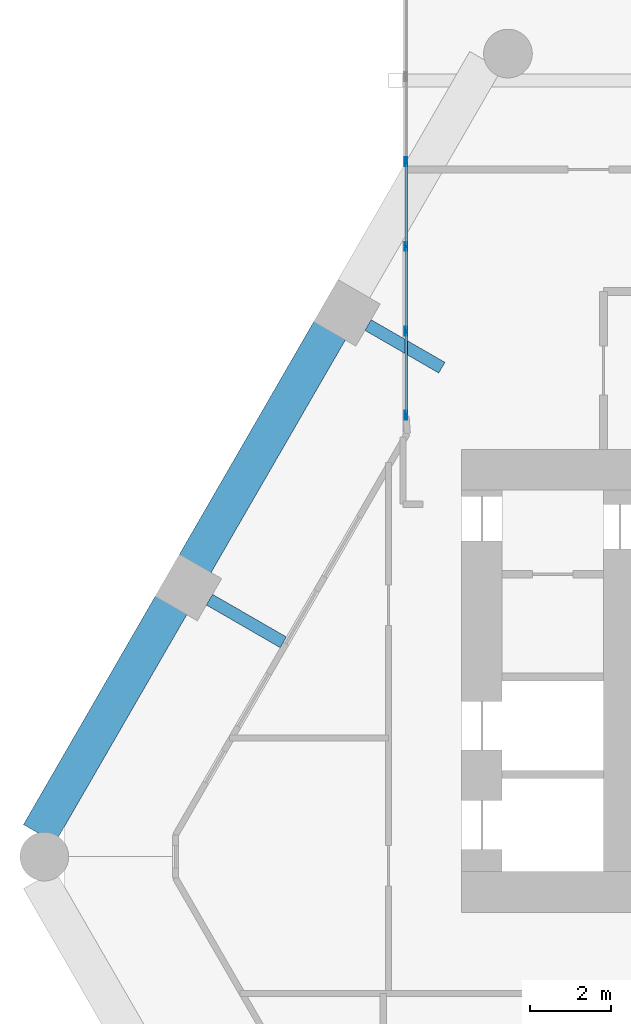
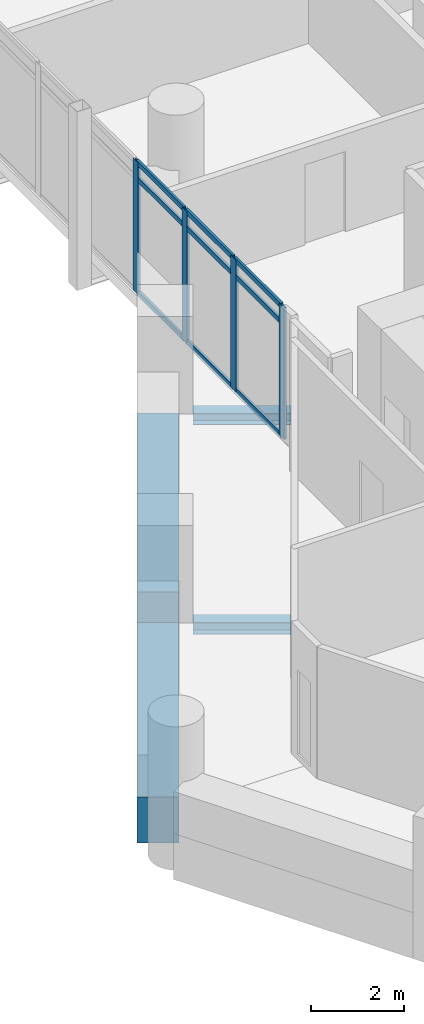
# One storey, part 12 of 28: 13 members, 4 beams, 1 element without a shape of its own.
"""IFC4 building model written with IfcOpenShell, lengths in metres."""

from ifc_helpers import new_model, si_unit, direction, frame, origin, origin_2d, place, context, subcontext, project, spatial, rectangle, hollow_rectangle, i_section, extrude, material, material_profile, profile_set, type_object, element, aggregate, save


model = new_model("IFC4")

# Units and contexts
model_context = context("Model", 3, precision=1e-05, world=origin(), true_north=direction((0.0, 1.0)))
body_context = subcontext(model_context, "Body", "Model", "MODEL_VIEW")
ifc_project = project(units=[si_unit("LENGTHUNIT", "METRE"), si_unit("AREAUNIT", "SQUARE_METRE"), si_unit("VOLUMEUNIT", "CUBIC_METRE"), si_unit("PLANEANGLEUNIT", "RADIAN"), si_unit("MASSUNIT", "GRAM", prefix="KILO")], contexts=[model_context])

# Site, building, storey
site_placement = place(None, origin())
site = spatial("IfcSite", under=ifc_project, at=site_placement, CompositionType="ELEMENT")
building_placement = place(site_placement, origin())
building = spatial("IfcBuilding", under=site, at=building_placement, Name="Ostrander Bayou Hotel Tower", CompositionType="ELEMENT")
storey_placement = place(building_placement, frame((0.0, 0.0, 104.25)))
storey = spatial("IfcBuildingStorey", under=building, at=storey_placement, Name="L26", CompositionType="ELEMENT", Elevation=104.25)

# Curtain wall, members
ifc_material_1 = material(Name="Aluminium and clear glass", Category="aluminium")
curtain_wall_type = type_object("IfcCurtainWallType", Name="CW-BAR glazed wall", PredefinedType="NOTDEFINED", material=ifc_material_1)
curtain_wall_placement = place(storey_placement, origin())
curtain_wall = element("IfcCurtainWall", 1, at=curtain_wall_placement, inside=storey, type_object=curtain_wall_type, Name="CW-BAR L26:SB2N:E", PredefinedType="NOTDEFINED")
ifc_material_2 = material(Name="Aluminium", Category="aluminium")
ifc_material_profile_1 = material_profile(ifc_material_2, hollow_rectangle(XDim=0.06005859375, YDim=0.219970703125, WallThickness=0.00390625, at=origin_2d()))
ifc_profile_set_1 = profile_set([ifc_material_profile_1], Name="Aluminium")
member_type_1 = type_object("IfcMemberType", Name="CW-BR mullion 60 x 220 mm", PredefinedType="MULLION", material=ifc_profile_set_1)
member_1_placement = place(storey_placement, frame((-13.3671875, 10.550048828125, 0.0), z_axis=(0.0, 0.0, 1.0), x_axis=(-1.0, 0.0, 0.0)))
member_1 = element("IfcMember", 2, at=member_1_placement, type_object=member_type_1, Name="CW-BAR mullion 1", PredefinedType="MULLION", context=body_context, shape_type="SweptSolid", body=[
    extrude(hollow_rectangle(XDim=0.06005859375, YDim=0.219970703125, WallThickness=0.00390625, at=origin_2d()), origin(), (0.0, 0.0, 1.0), 3.449951171875),
])
member_2_placement = place(storey_placement, frame((-13.3671875, 12.612548828125, 0.0), z_axis=(0.0, 0.0, 1.0), x_axis=(-1.0, 0.0, 0.0)))
member_2 = element("IfcMember", 3, at=member_2_placement, type_object=member_type_1, Name="CW-BAR mullion 2", PredefinedType="MULLION", context=body_context, shape_type="SweptSolid", body=[
    extrude(hollow_rectangle(XDim=0.06005859375, YDim=0.219970703125, WallThickness=0.00390625, at=origin_2d()), origin(), (0.0, 0.0, 1.0), 3.449951171875),
])
member_3_placement = place(storey_placement, frame((-13.3671875, 14.705078125, 0.0), z_axis=(0.0, 0.0, 1.0), x_axis=(-1.0, 0.0, 0.0)))
member_3 = element("IfcMember", 4, at=member_3_placement, type_object=member_type_1, Name="CW-BAR mullion 3", PredefinedType="MULLION", context=body_context, shape_type="SweptSolid", body=[
    extrude(hollow_rectangle(XDim=0.06005859375, YDim=0.219970703125, WallThickness=0.00390625, at=origin_2d()), origin(), (0.0, 0.0, 1.0), 3.449951171875),
])
member_4_placement = place(storey_placement, frame((-13.3671875, 16.797607421875, 0.0), z_axis=(0.0, 0.0, 1.0), x_axis=(-1.0, 0.0, 0.0)))
member_4 = element("IfcMember", 5, at=member_4_placement, type_object=member_type_1, Name="CW-BAR mullion 4", PredefinedType="MULLION", context=body_context, shape_type="SweptSolid", body=[
    extrude(hollow_rectangle(XDim=0.06005859375, YDim=0.219970703125, WallThickness=0.00390625, at=origin_2d()), origin(), (0.0, 0.0, 1.0), 3.449951171875),
])
ifc_material_3 = material(Name="Aluminium", Category="aluminium")
ifc_material_profile_2 = material_profile(ifc_material_3, hollow_rectangle(XDim=0.06005859375, YDim=0.1298828125, WallThickness=0.00390625, at=origin_2d()))
ifc_profile_set_2 = profile_set([ifc_material_profile_2], Name="Aluminium")
member_type_2 = type_object("IfcMemberType", Name="CW-BR transom 60 x 130 mm", PredefinedType="USERDEFINED", material=ifc_profile_set_2)
member_5_placement = place(storey_placement, frame((-13.3671875, 10.580078125, 0.030029296875), z_axis=(0.0, 1.0, 0.0), x_axis=(-1.0, 0.0, 0.0)))
member_5 = element("IfcMember", 6, at=member_5_placement, type_object=member_type_2, Name="CW-BAR transom 1.1", ObjectType="TRANSOM", PredefinedType="USERDEFINED", context=body_context, shape_type="SweptSolid", body=[
    extrude(hollow_rectangle(XDim=0.06005859375, YDim=0.1298828125, WallThickness=0.00390625, at=origin_2d()), origin(), (0.0, 0.0, 1.0), 2.00244140625),
])
member_6_placement = place(storey_placement, frame((-13.3671875, 10.580078125, 3.0), z_axis=(0.0, 1.0, 0.0), x_axis=(-1.0, 0.0, 0.0)))
member_6 = element("IfcMember", 7, at=member_6_placement, type_object=member_type_2, Name="CW-BAR transom 1.2", ObjectType="TRANSOM", PredefinedType="USERDEFINED", context=body_context, shape_type="SweptSolid", body=[
    extrude(hollow_rectangle(XDim=0.06005859375, YDim=0.1298828125, WallThickness=0.00390625, at=origin_2d()), origin(), (0.0, 0.0, 1.0), 2.00244140625),
])
member_7_placement = place(storey_placement, frame((-13.3671875, 10.580078125, 3.419921875), z_axis=(0.0, 1.0, 0.0), x_axis=(-1.0, 0.0, 0.0)))
member_7 = element("IfcMember", 8, at=member_7_placement, type_object=member_type_2, Name="CW-BAR transom 1.3", ObjectType="TRANSOM", PredefinedType="USERDEFINED", context=body_context, shape_type="SweptSolid", body=[
    extrude(hollow_rectangle(XDim=0.06005859375, YDim=0.1298828125, WallThickness=0.00390625, at=origin_2d()), origin(), (0.0, 0.0, 1.0), 2.00244140625),
])
member_8_placement = place(storey_placement, frame((-13.3671875, 12.642578125, 0.030029296875), z_axis=(0.0, 1.0, 0.0), x_axis=(-1.0, 0.0, 0.0)))
member_8 = element("IfcMember", 9, at=member_8_placement, type_object=member_type_2, Name="CW-BAR transom 2.1", ObjectType="TRANSOM", PredefinedType="USERDEFINED", context=body_context, shape_type="SweptSolid", body=[
    extrude(hollow_rectangle(XDim=0.06005859375, YDim=0.1298828125, WallThickness=0.00390625, at=origin_2d()), origin(), (0.0, 0.0, 1.0), 2.032470703125),
])
member_9_placement = place(storey_placement, frame((-13.3671875, 12.642578125, 3.0), z_axis=(0.0, 1.0, 0.0), x_axis=(-1.0, 0.0, 0.0)))
member_9 = element("IfcMember", 10, at=member_9_placement, type_object=member_type_2, Name="CW-BAR transom 2.2", ObjectType="TRANSOM", PredefinedType="USERDEFINED", context=body_context, shape_type="SweptSolid", body=[
    extrude(hollow_rectangle(XDim=0.06005859375, YDim=0.1298828125, WallThickness=0.00390625, at=origin_2d()), origin(), (0.0, 0.0, 1.0), 2.032470703125),
])
member_10_placement = place(storey_placement, frame((-13.3671875, 12.642578125, 3.419921875), z_axis=(0.0, 1.0, 0.0), x_axis=(-1.0, 0.0, 0.0)))
member_10 = element("IfcMember", 11, at=member_10_placement, type_object=member_type_2, Name="CW-BAR transom 2.3", ObjectType="TRANSOM", PredefinedType="USERDEFINED", context=body_context, shape_type="SweptSolid", body=[
    extrude(hollow_rectangle(XDim=0.06005859375, YDim=0.1298828125, WallThickness=0.00390625, at=origin_2d()), origin(), (0.0, 0.0, 1.0), 2.032470703125),
])
member_11_placement = place(storey_placement, frame((-13.3671875, 14.735107421875, 0.030029296875), z_axis=(0.0, 1.0, 0.0), x_axis=(-1.0, 0.0, 0.0)))
member_11 = element("IfcMember", 12, at=member_11_placement, type_object=member_type_2, Name="CW-BAR transom 3.1", ObjectType="TRANSOM", PredefinedType="USERDEFINED", context=body_context, shape_type="SweptSolid", body=[
    extrude(hollow_rectangle(XDim=0.06005859375, YDim=0.1298828125, WallThickness=0.00390625, at=origin_2d()), origin(), (0.0, 0.0, 1.0), 2.032470703125),
])
member_12_placement = place(storey_placement, frame((-13.3671875, 14.735107421875, 3.0), z_axis=(0.0, 1.0, 0.0), x_axis=(-1.0, 0.0, 0.0)))
member_12 = element("IfcMember", 13, at=member_12_placement, type_object=member_type_2, Name="CW-BAR transom 3.2", ObjectType="TRANSOM", PredefinedType="USERDEFINED", context=body_context, shape_type="SweptSolid", body=[
    extrude(hollow_rectangle(XDim=0.06005859375, YDim=0.1298828125, WallThickness=0.00390625, at=origin_2d()), origin(), (0.0, 0.0, 1.0), 2.032470703125),
])
member_13_placement = place(storey_placement, frame((-13.3671875, 14.735107421875, 3.419921875), z_axis=(0.0, 1.0, 0.0), x_axis=(-1.0, 0.0, 0.0)))
member_13 = element("IfcMember", 14, at=member_13_placement, type_object=member_type_2, Name="CW-BAR transom 3.3", ObjectType="TRANSOM", PredefinedType="USERDEFINED", context=body_context, shape_type="SweptSolid", body=[
    extrude(hollow_rectangle(XDim=0.06005859375, YDim=0.1298828125, WallThickness=0.00390625, at=origin_2d()), origin(), (0.0, 0.0, 1.0), 2.032470703125),
])
aggregate(curtain_wall, [member_1, member_2, member_3, member_4, member_5, member_6, member_7, member_8, member_9, member_10, member_11, member_12, member_13])

# Beams
ifc_material_4 = material(Name="Steel ASTM A992", Category="steel")
ifc_material_profile_3 = material_profile(ifc_material_4, i_section(OverallWidth=0.3046875, OverallDepth=0.307861328125, WebThickness=0.010009765625, FlangeThickness=0.015380859375, at=origin_2d()))
ifc_profile_set_3 = profile_set([ifc_material_profile_3], Name="Steel ASTM A992")
beam_type_1 = type_object("IfcBeamType", Name="LB1 loggia bracket W12x65", PredefinedType="BEAM", material=ifc_profile_set_3)
for number, where, z_axis, x_axis, name in (
    (15, (-14.30419921875, 12.769775390625, -0.453857421875), (0.866009402589, -0.500027713859, 0.0), (0.500027713859, 0.866009402589, 0.0), "LB1 L26 NW1"),
    (16, (-18.2109375, 6.0029296875, -0.453857421875), (0.866009402589, -0.500027713859, 0.0), (0.500027713859, 0.866009402589, 0.0), "LB1 L26 NW2"),
):
    element("IfcBeam", number, at=place(storey_placement, frame(where, z_axis=z_axis, x_axis=x_axis)), inside=storey, type_object=beam_type_1, Name=name, PredefinedType="BEAM", context=body_context, shape_type="SweptSolid", body=[
        extrude(i_section(OverallWidth=0.3046875, OverallDepth=0.307861328125, WebThickness=0.010009765625, FlangeThickness=0.015380859375, at=origin_2d()), origin(), (0.0, 0.0, 1.0), 2.10009765625),
    ])
ifc_material_5 = material(Name="Concrete f'c 70 MPa", Category="concrete")
ifc_material_profile_4 = material_profile(ifc_material_5, rectangle(XDim=0.89990234375, YDim=1.199951171875, at=origin_2d()))
ifc_profile_set_4 = profile_set([ifc_material_profile_4], Name="Concrete f'c 70 MPa")
beam_type_2 = type_object("IfcBeamType", Name="SP2 spandrel beam 900 x 1200 mm f'c 70 MPa", PredefinedType="SPANDREL", material=ifc_profile_set_4)
beam_1_placement = place(storey_placement, frame((-15.23876953125, 12.65087890625, -0.60009765625), z_axis=(-0.499999023957, -0.866025967302, 0.0), x_axis=(0.866025967302, -0.499999023957, 0.0)))
element("IfcBeam", 17, at=beam_1_placement, inside=storey, type_object=beam_type_2, Name="SP2 L26 NW-2", PredefinedType="SPANDREL", context=body_context, shape_type="SweptSolid", body=[
    extrude(rectangle(XDim=0.89990234375, YDim=1.199951171875, at=origin_2d()), origin(), (0.0, 0.0, 1.0), 6.67333984375),
])
beam_2_placement = place(storey_placement, frame((-19.1455078125, 5.884521484375, -0.60009765625), z_axis=(-0.500000042739, -0.866025379109, 0.0), x_axis=(0.866025379109, -0.500000042739, 0.0)))
element("IfcBeam", 18, at=beam_2_placement, inside=storey, type_object=beam_type_2, Name="SP2 L26 NW-3", PredefinedType="SPANDREL", context=body_context, shape_type="SweptSolid", body=[
    extrude(rectangle(XDim=0.89990234375, YDim=1.199951171875, at=origin_2d()), origin(), (0.0, 0.0, 1.0), 6.52197265625),
])

save(model, "model.ifc")
